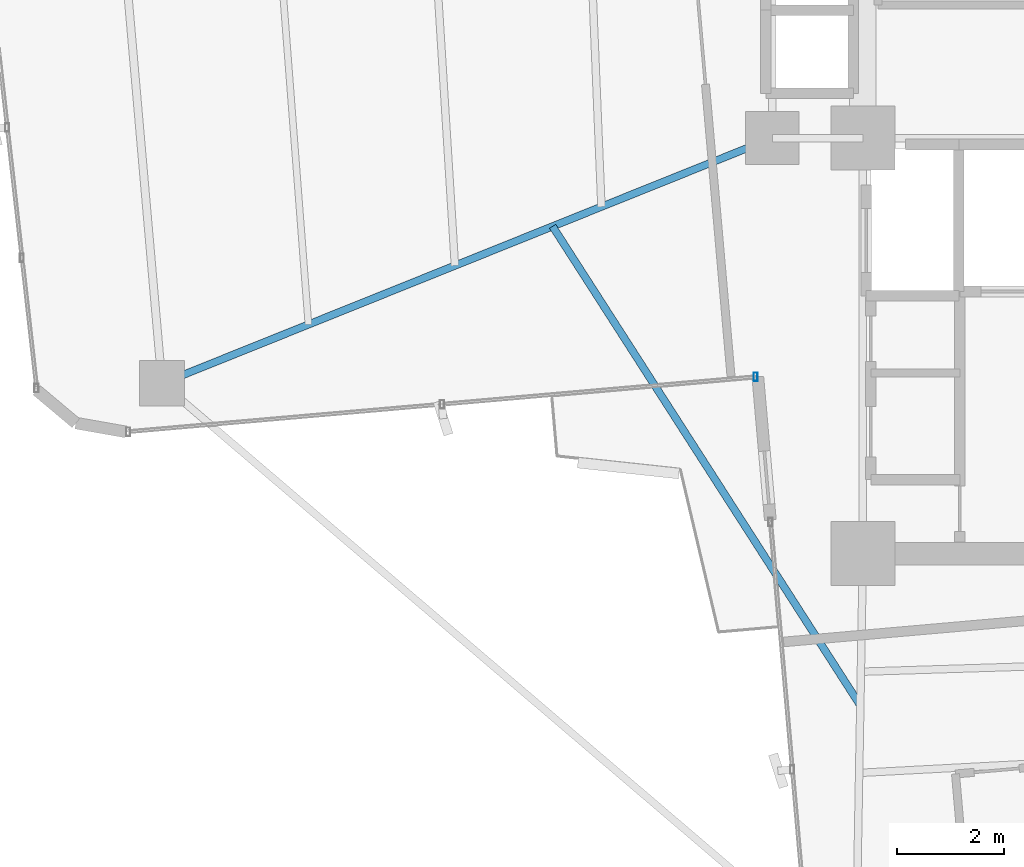
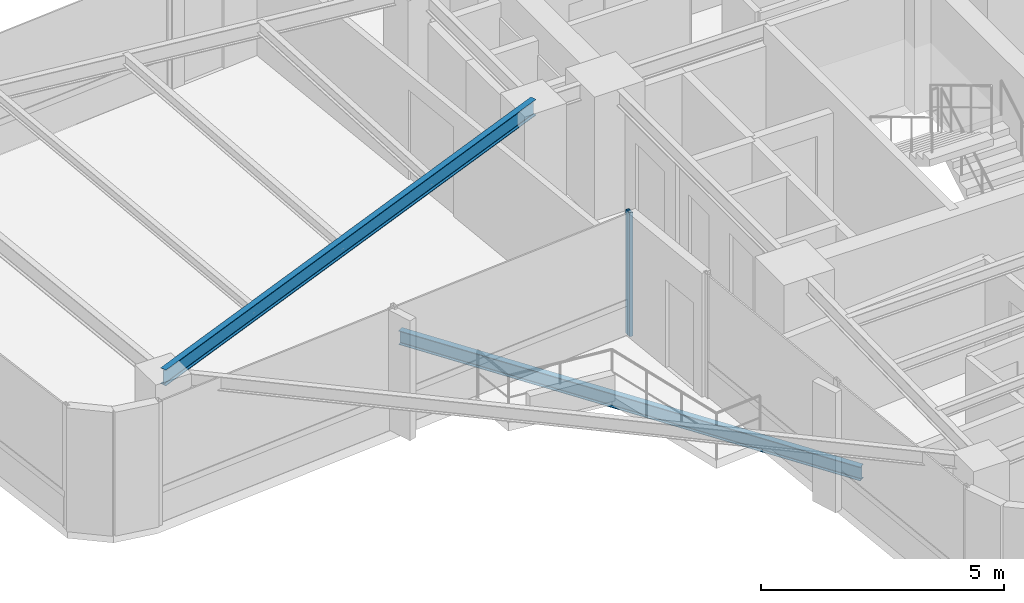
# One storey, part 5 of 24: 2 beams, 1 member, 1 element without a shape of its own.
"""IFC4 building model written with IfcOpenShell, lengths in metres."""

from ifc_helpers import new_model, si_unit, direction, frame, origin, origin_2d, place, context, subcontext, project, spatial, hollow_rectangle, i_section, extrude, source, transform, mapped, material, material_profile, profile_set, type_object, element, aggregate, save


model = new_model("IFC4")

# Units and contexts
model_context = context("Model", 3, precision=1e-05, world=origin(), true_north=direction((0.0, 1.0)))
body_context = subcontext(model_context, "Body", "Model", "MODEL_VIEW")
ifc_project = project(units=[si_unit("LENGTHUNIT", "METRE"), si_unit("AREAUNIT", "SQUARE_METRE"), si_unit("VOLUMEUNIT", "CUBIC_METRE"), si_unit("PLANEANGLEUNIT", "RADIAN"), si_unit("MASSUNIT", "GRAM", prefix="KILO")], contexts=[model_context])

# Site, building, storey
site_placement = place(None, origin())
site = spatial("IfcSite", under=ifc_project, at=site_placement, CompositionType="ELEMENT")
building_placement = place(site_placement, origin())
building = spatial("IfcBuilding", under=site, at=building_placement, Name="Sahyath Konkavel Grand Hotel", CompositionType="ELEMENT")
storey_placement = place(building_placement, frame((0.0, 0.0, 164.0)))
storey = spatial("IfcBuildingStorey", under=building, at=storey_placement, Name="L45", CompositionType="ELEMENT", Elevation=164.0)

# Beam
ifc_material_1 = material(Name="Steel E350", Category="steel")
ifc_material_profile_1 = material_profile(ifc_material_1, i_section(OverallWidth=0.139892578125, OverallDepth=0.39990234375, WebThickness=0.0087890625, FlangeThickness=0.01611328125, FilletRadius=0.013916015625, at=origin_2d()), Name="ISMB 400")
ifc_profile_set_1 = profile_set([ifc_material_profile_1], Name="Steel E350")
beam_type_1 = type_object("IfcBeamType", Name="BM-ISMB400", PredefinedType="BEAM", material=ifc_profile_set_1)
shared_shape_1 = source(origin(), body_context, "Body", "SweptSolid", [
    extrude(i_section(OverallWidth=0.139892578125, OverallDepth=0.39990234375, WebThickness=0.0087890625, FlangeThickness=0.01611328125, FilletRadius=0.013916015625, at=origin_2d()), origin(), (0.0, 0.0, 1.0), 12.344970703125),
])
beam_1_placement = place(storey_placement, frame((-5.5, -2.39990234375, 2.909912109375), z_axis=(-0.927837014101, -0.372985891507, 0.0), x_axis=(0.372985891507, -0.927837014101, 0.0)))
element("IfcBeam", 1, at=beam_1_placement, inside=storey, type_object=beam_type_1, Name="L45 Cruciform Radial Girder WB", PredefinedType="BEAM", context=body_context, shape_type="MappedRepresentation", body=[
    mapped(shared_shape_1, transform((0.0, 0.0, 0.0), scale=1.0)),
])

# Curtain wall, member
ifc_material_2 = material(Name="Anodised Bronze Aluminium & Low-E Glazing", Category="aluminium")
curtain_wall_type = type_object("IfcCurtainWallType", Name="CW-ZONE3", PredefinedType="NOTDEFINED", material=ifc_material_2)
curtain_wall_placement = place(storey_placement, origin())
curtain_wall = element("IfcCurtainWall", 2, at=curtain_wall_placement, inside=storey, type_object=curtain_wall_type, Name="L45 Unitised Curtain Wall F23", PredefinedType="NOTDEFINED")
ifc_material_3 = material(Name="Anodised Bronze Aluminium", Category="aluminium")
ifc_material_profile_2 = material_profile(ifc_material_3, hollow_rectangle(XDim=0.080078125, YDim=0.159912109375, WallThickness=0.006103515625, at=origin_2d()), Name="RHS 160x80x6")
ifc_profile_set_2 = profile_set([ifc_material_profile_2], Name="Anodised Bronze Aluminium")
member_type = type_object("IfcMemberType", Name="CW-MUL-160", PredefinedType="MULLION", material=ifc_profile_set_2)
shared_shape_2 = source(origin(), body_context, "Body", "SweptSolid", [
    extrude(hollow_rectangle(XDim=0.080078125, YDim=0.159912109375, WallThickness=0.006103515625, at=origin_2d()), origin(), (0.0, 0.0, 1.0), 3.110107421875),
])
member_placement = place(storey_placement, frame((-5.812255859375, -6.8828125, 0.0), z_axis=(0.0, 0.0, 1.0), x_axis=(1.0, 0.0, 0.0)))
member = element("IfcMember", 3, at=member_placement, type_object=member_type, Name="L45 Curtain Wall Mullion F23-2", PredefinedType="MULLION", context=body_context, shape_type="MappedRepresentation", body=[
    mapped(shared_shape_2, transform((0.0, 0.0, 0.0), scale=1.0)),
])
aggregate(curtain_wall, [member])

# Beam
ifc_material_profile_3 = material_profile(ifc_material_1, i_section(OverallWidth=0.139892578125, OverallDepth=0.35009765625, WebThickness=0.008056640625, FlangeThickness=0.01416015625, FilletRadius=0.013916015625, at=origin_2d()), Name="ISMB 350")
ifc_profile_set_3 = profile_set([ifc_material_profile_3], Name="Steel E350")
beam_type_2 = type_object("IfcBeamType", Name="BM-BALC-CANT", PredefinedType="BEAM", material=ifc_profile_set_3)
shared_shape_3 = source(origin(), body_context, "Body", "SweptSolid", [
    extrude(i_section(OverallWidth=0.139892578125, OverallDepth=0.35009765625, WebThickness=0.008056640625, FlangeThickness=0.01416015625, FilletRadius=0.013916015625, at=origin_2d()), origin(), (0.0, 0.0, 1.0), 10.685302734375),
])
beam_2_placement = place(storey_placement, frame((-9.62353515625, -4.0576171875, -0.4150390625), z_axis=(0.540404181048, -0.841405562797, 0.0), x_axis=(0.841405562797, 0.540404181048, 0.0)))
element("IfcBeam", 4, at=beam_2_placement, inside=storey, type_object=beam_type_2, Name="L45 Balcony Cantilever Support Beam SW", PredefinedType="BEAM", context=body_context, shape_type="MappedRepresentation", body=[
    mapped(shared_shape_3, transform((0.0, 0.0, 0.0), scale=1.0)),
])

save(model, "model.ifc")
